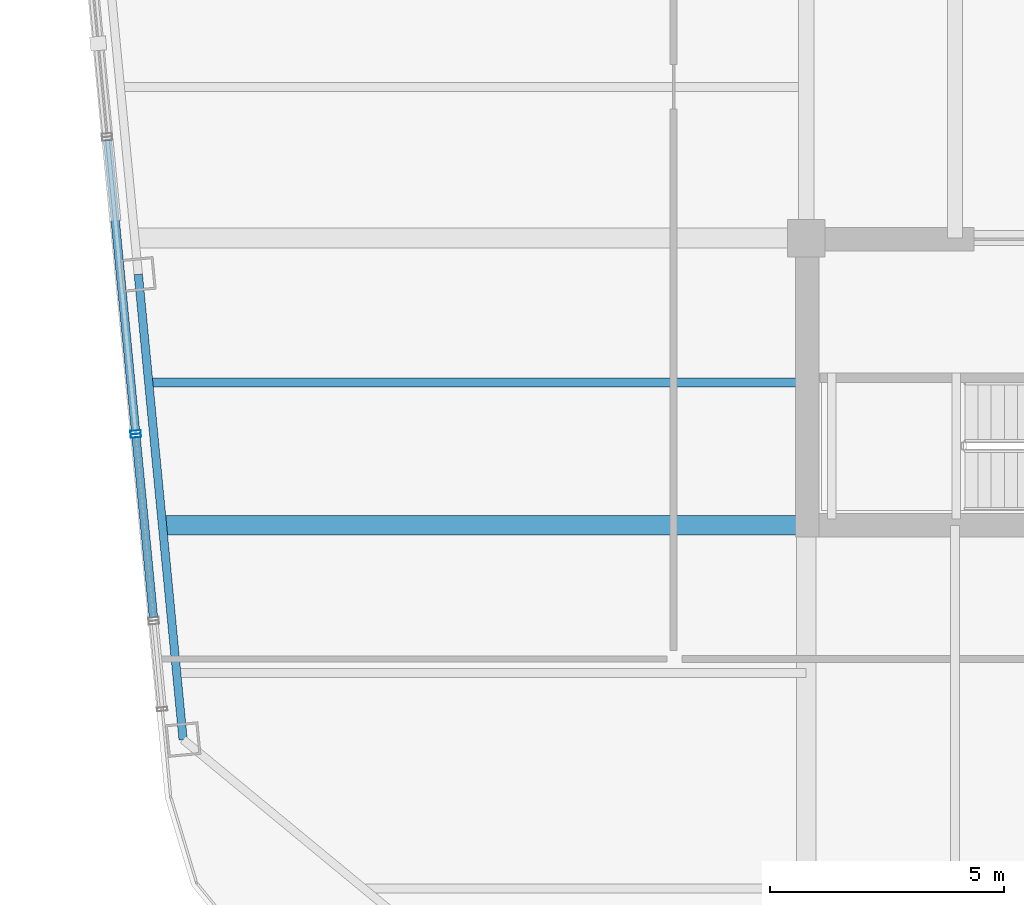
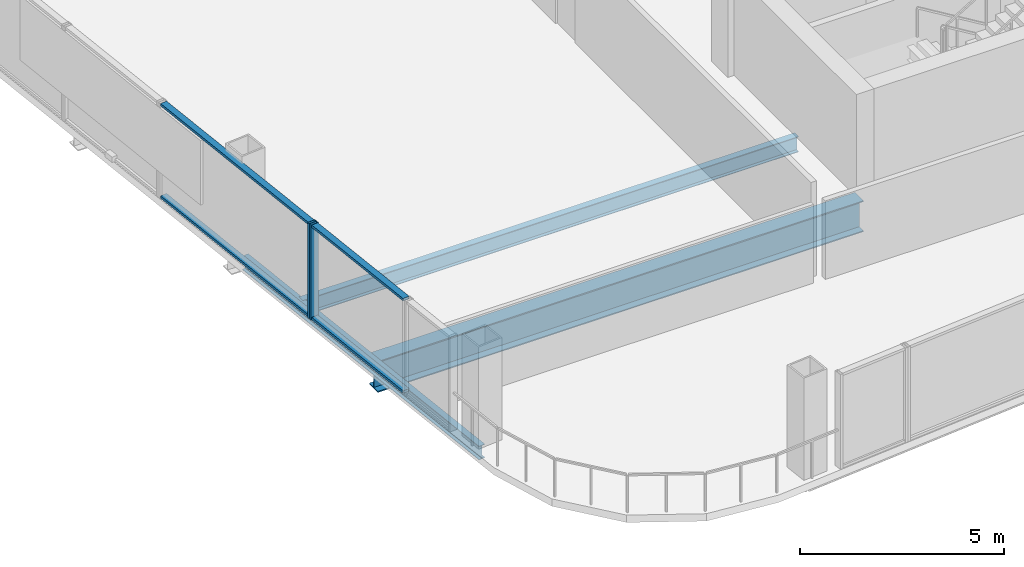
# One storey, part 3 of 21: 6 members, 3 beams, 2 elements without a shape of their own.
"""IFC4 building model written with IfcOpenShell, lengths in metres."""

from ifc_helpers import new_model, si_unit, direction, frame, origin, origin_2d, place, context, subcontext, project, spatial, hollow_rectangle, i_section, extrude, material, layer, layer_set, material_profile, profile_set, type_object, element, aggregate, save


model = new_model("IFC4")

# Units and contexts
model_context = context("Model", 3, precision=1e-05, world=origin(), true_north=direction((0.0, 1.0)))
body_context = subcontext(model_context, "Body", "Model", "MODEL_VIEW")
ifc_project = project(units=[si_unit("LENGTHUNIT", "METRE"), si_unit("AREAUNIT", "SQUARE_METRE"), si_unit("VOLUMEUNIT", "CUBIC_METRE"), si_unit("PLANEANGLEUNIT", "RADIAN"), si_unit("MASSUNIT", "GRAM", prefix="KILO")], contexts=[model_context])

# Site, building, storey
site_placement = place(None, origin())
site = spatial("IfcSite", under=ifc_project, at=site_placement, CompositionType="ELEMENT")
building_placement = place(site_placement, origin())
building = spatial("IfcBuilding", under=site, at=building_placement, Name="Qhalaya Broadcast Tower", CompositionType="ELEMENT")
storey_placement = place(building_placement, frame((0.0, 0.0, 162.25)))
storey = spatial("IfcBuildingStorey", under=building, at=storey_placement, Name="L47", CompositionType="ELEMENT", Elevation=162.25)

# Beams
ifc_material_1 = material(Name="Structural Steel ASTM A992 Grade 50", Category="steel")
ifc_material_profile_1 = material_profile(ifc_material_1, i_section(OverallWidth=0.19189453125, OverallDepth=0.462890625, WebThickness=0.010498046875, FlangeThickness=0.017578125, at=origin_2d()), Name="W18X60")
ifc_profile_set_1 = profile_set([ifc_material_profile_1], Name="Structural Steel ASTM A992 Grade 50")
beam_type_1 = type_object("IfcBeamType", Name="Composite Floor Joist J03", PredefinedType="JOIST", material=ifc_profile_set_1)
beam_1_placement = place(storey_placement, frame((-23.375732421875, -5.699951171875, -0.451416015625), z_axis=(1.0, 0.0, 0.0), x_axis=(0.0, 1.0, 0.0)))
element("IfcBeam", 1, at=beam_1_placement, inside=storey, type_object=beam_type_1, Name="L47 J03 L47-JWE3W-1", PredefinedType="JOIST", context=body_context, shape_type="SweptSolid", body=[
    extrude(i_section(OverallWidth=0.19189453125, OverallDepth=0.462890625, WebThickness=0.010498046875, FlangeThickness=0.017578125, at=origin_2d()), origin(), (0.0, 0.0, 1.0), 14.000732421875),
])
ifc_material_profile_2 = material_profile(ifc_material_1, i_section(OverallWidth=0.4189453125, OverallDepth=0.927001953125, WebThickness=0.019287109375, FlangeThickness=0.031982421875, at=origin_2d()), Name="W36X231")
ifc_profile_set_2 = profile_set([ifc_material_profile_2], Name="Structural Steel ASTM A992 Grade 50")
beam_type_2 = type_object("IfcBeamType", Name="Mid Block Primary Girder PG3", PredefinedType="USERDEFINED", material=ifc_profile_set_2)
beam_2_placement = place(storey_placement, frame((-23.08203125, -8.75, -0.68359375), z_axis=(1.0, 0.0, 0.0), x_axis=(0.0, 1.0, 0.0)))
element("IfcBeam", 2, at=beam_2_placement, inside=storey, type_object=beam_type_2, Name="L47 PG3 L47-PGYW1-1", ObjectType="GIRDER", PredefinedType="USERDEFINED", context=body_context, shape_type="SweptSolid", body=[
    extrude(i_section(OverallWidth=0.4189453125, OverallDepth=0.927001953125, WebThickness=0.019287109375, FlangeThickness=0.031982421875, at=origin_2d()), origin(), (0.0, 0.0, 1.0), 13.70703125),
])

# Curtain wall, member
ifc_material_2 = material(Name="Fired Architectural Terracotta", Category="masonry")
ifc_layer_1 = layer(ifc_material_2, 0.219970703125, Name="Fired Architectural Terracotta")
ifc_layer_set_1 = layer_set([ifc_layer_1], Name="Fired Architectural Terracotta")
curtain_wall_type_1 = type_object("IfcCurtainWallType", Name="Block-Cap Unitised Terracotta Spandrel Wall CW-07", PredefinedType="NOTDEFINED", material=ifc_layer_set_1)
curtain_wall_1_placement = place(storey_placement, origin())
curtain_wall_1 = element("IfcCurtainWall", 3, at=curtain_wall_1_placement, inside=storey, type_object=curtain_wall_type_1, Name="L47 Unitised Curtain Wall L47-CW-W5", PredefinedType="NOTDEFINED")
ifc_material_3 = material(Name="Anodised Aluminium 6063-T6", Category="aluminium")
ifc_material_profile_3 = material_profile(ifc_material_3, hollow_rectangle(XDim=0.074951171875, YDim=0.219970703125, WallThickness=0.00390625, at=origin_2d()), Name="ALU-MUL 75x220x4")
ifc_profile_set_3 = profile_set([ifc_material_profile_3], Name="Anodised Aluminium 6063-T6")
member_type_1 = type_object("IfcMemberType", Name="Unitised Curtain-Wall Mullion M01", PredefinedType="MULLION", material=ifc_profile_set_3)
member_1_placement = place(storey_placement, frame((-23.6748046875, -6.765869140625, 0.0), z_axis=(0.0, 0.0, 1.0), x_axis=(0.095853708125, -0.995395432297, 0.0)))
member_1 = element("IfcMember", 4, at=member_1_placement, type_object=member_type_1, Name="CW-07 mullion 2", PredefinedType="MULLION", context=body_context, shape_type="SweptSolid", body=[
    extrude(hollow_rectangle(XDim=0.074951171875, YDim=0.219970703125, WallThickness=0.00390625, at=origin_2d()), origin(), (0.0, 0.0, 1.0), 2.830078125),
])

ifc_material_4 = material(Name="Solar-Control Low-E Triple Glazing", Category="glass")
ifc_layer_2 = layer(ifc_material_4, 0.219970703125, Name="Solar-Control Low-E Triple Glazing")
ifc_layer_set_2 = layer_set([ifc_layer_2], Name="Solar-Control Low-E Triple Glazing")
curtain_wall_type_2 = type_object("IfcCurtainWallType", Name="Even-Block 4-Storey Double-Module Curtain Wall CW-03", PredefinedType="NOTDEFINED", material=ifc_layer_set_2)
curtain_wall_2_placement = place(storey_placement, origin())
curtain_wall_2 = element("IfcCurtainWall", 5, at=curtain_wall_2_placement, inside=storey, type_object=curtain_wall_type_2, Name="L47 Unitised Curtain Wall L47-CW-W6", PredefinedType="NOTDEFINED")
member_2_placement = place(storey_placement, frame((-23.667724609375, -6.84033203125, 0.0), z_axis=(0.0, 0.0, 1.0), x_axis=(0.095825752198, -0.995398123976, 0.0)))
member_2 = element("IfcMember", 6, at=member_2_placement, type_object=member_type_1, Name="CW-03 mullion 1", PredefinedType="MULLION", context=body_context, shape_type="SweptSolid", body=[
    extrude(hollow_rectangle(XDim=0.074951171875, YDim=0.219970703125, WallThickness=0.00390625, at=origin_2d()), origin(), (0.0, 0.0, 1.0), 2.830078125),
])

# Member
ifc_material_profile_4 = material_profile(ifc_material_3, hollow_rectangle(XDim=0.074951171875, YDim=0.179931640625, WallThickness=0.00390625, at=origin_2d()), Name="ALU-TRN 75x180x4")
ifc_profile_set_4 = profile_set([ifc_material_profile_4], Name="Anodised Aluminium 6063-T6")
member_type_2 = type_object("IfcMemberType", Name="Unitised Curtain-Wall Transom T01", PredefinedType="USERDEFINED", material=ifc_profile_set_4)
member_3_placement = place(storey_placement, frame((-24.274169921875, -0.542236328125, 0.03759765625), z_axis=(0.095850882776, -0.995395704366, 0.0), x_axis=(0.0, 0.0, 1.0)))
member_3 = element("IfcMember", 7, at=member_3_placement, type_object=member_type_2, Name="CW-07 transom 1.1", ObjectType="TRANSOM", PredefinedType="USERDEFINED", context=body_context, shape_type="SweptSolid", body=[
    extrude(hollow_rectangle(XDim=0.074951171875, YDim=0.179931640625, WallThickness=0.00390625, at=origin_2d()), origin(), (0.0, 0.0, 1.0), 6.21484375),
])

member_4_placement = place(storey_placement, frame((-24.274169921875, -0.542236328125, 2.79248046875), z_axis=(0.095850882776, -0.995395704366, 0.0), x_axis=(0.0, 0.0, 1.0)))
member_4 = element("IfcMember", 8, at=member_4_placement, type_object=member_type_2, Name="CW-07 transom 1.2", ObjectType="TRANSOM", PredefinedType="USERDEFINED", context=body_context, shape_type="SweptSolid", body=[
    extrude(hollow_rectangle(XDim=0.074951171875, YDim=0.179931640625, WallThickness=0.00390625, at=origin_2d()), origin(), (0.0, 0.0, 1.0), 6.21484375),
])

aggregate(curtain_wall_1, [member_1, member_3, member_4])

member_5_placement = place(storey_placement, frame((-23.6640625, -6.877685546875, 0.03759765625), z_axis=(0.095793343025, -0.995401243435, 0.0), x_axis=(0.0, 0.0, 1.0)))
member_5 = element("IfcMember", 9, at=member_5_placement, type_object=member_type_2, Name="CW-03 transom 1.1", ObjectType="TRANSOM", PredefinedType="USERDEFINED", context=body_context, shape_type="SweptSolid", body=[
    extrude(hollow_rectangle(XDim=0.074951171875, YDim=0.179931640625, WallThickness=0.00390625, at=origin_2d()), origin(), (0.0, 0.0, 1.0), 3.85107421875),
])

member_6_placement = place(storey_placement, frame((-23.6640625, -6.877685546875, 2.79248046875), z_axis=(0.095793343025, -0.995401243435, 0.0), x_axis=(0.0, 0.0, 1.0)))
member_6 = element("IfcMember", 10, at=member_6_placement, type_object=member_type_2, Name="CW-03 transom 1.2", ObjectType="TRANSOM", PredefinedType="USERDEFINED", context=body_context, shape_type="SweptSolid", body=[
    extrude(hollow_rectangle(XDim=0.074951171875, YDim=0.179931640625, WallThickness=0.00390625, at=origin_2d()), origin(), (0.0, 0.0, 1.0), 3.85107421875),
])

aggregate(curtain_wall_2, [member_2, member_5, member_6])

# Beam
ifc_material_profile_5 = material_profile(ifc_material_1, i_section(OverallWidth=0.177978515625, OverallDepth=0.406005859375, WebThickness=0.0078125, FlangeThickness=0.0126953125, at=origin_2d()), Name="W16X40")
ifc_profile_set_5 = profile_set([ifc_material_profile_5], Name="Structural Steel ASTM A992 Grade 50")
beam_type_3 = type_object("IfcBeamType", Name="Upper Perimeter Spandrel Beam SP2", PredefinedType="SPANDREL", material=ifc_profile_set_5)
beam_3_placement = place(storey_placement, frame((-23.6171875, -3.399658203125, -0.423095703125), z_axis=(0.09582862993, -0.995397846936, 0.0), x_axis=(0.995397846936, 0.09582862993, 0.0)))
element("IfcBeam", 11, at=beam_3_placement, inside=storey, type_object=beam_type_3, Name="L47 SP2 L47-SPR-15", PredefinedType="SPANDREL", context=body_context, shape_type="SweptSolid", body=[
    extrude(i_section(OverallWidth=0.177978515625, OverallDepth=0.406005859375, WebThickness=0.0078125, FlangeThickness=0.0126953125, at=origin_2d()), origin(), (0.0, 0.0, 1.0), 9.966552734375),
])

save(model, "model.ifc")
